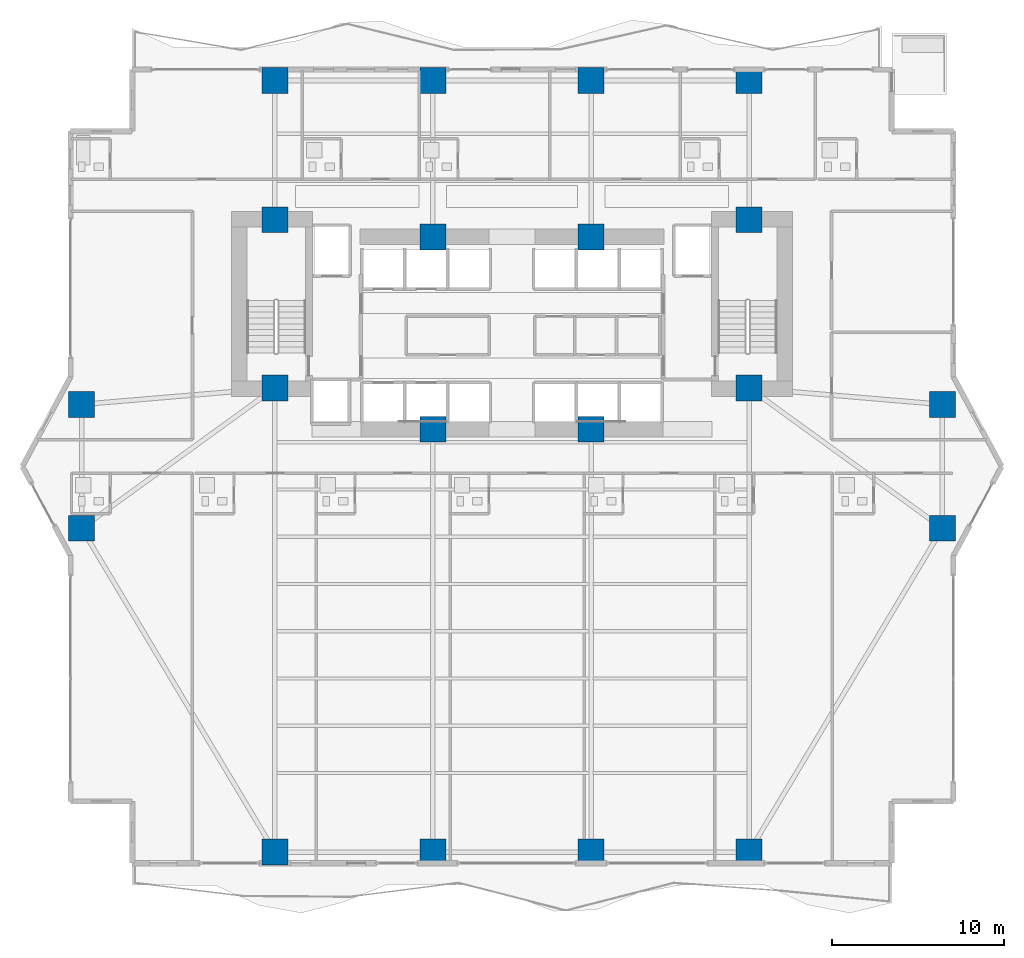
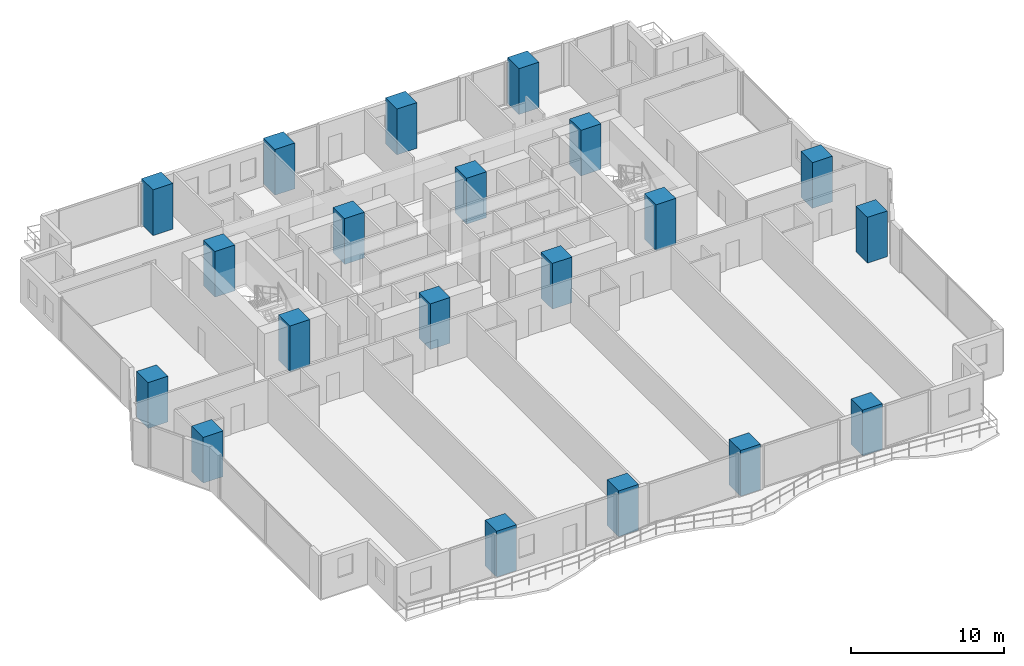
# One storey, part 1 of 28: 20 columns.
"""IFC4 building model written with IfcOpenShell, lengths in metres."""

import ifcopenshell
import ifcopenshell.guid

model = None  # the IFC model being written
_history = None  # IfcOwnerHistory: only IFC2X3 demands one
_inside = {}  # id of a spatial element -> (the spatial element, [elements in it])
_under = {}  # id of a project, library or spatial element -> (it, [spatial elements below it])
_declared = {}  # id of a project -> (the project, [libraries it declares])
_typed = {}  # id of a type object -> (the type object, [elements of that type])
_made_of = {}  # id of a material, layer set ... -> (it, [elements and type objects made of it])


def new_model(schema):
    """Start an empty IFC model of exactly this schema.

    Asked for "IFC4X3", IfcOpenShell would pick the latest addendum, in which some entities
    have other attributes; the version numbers below select the first issue.
    IFC2X3 requires an IfcOwnerHistory on every rooted entity: one is made here for all.
    """
    global model, _history
    if schema == "IFC4X3":
        model = ifcopenshell.file(schema_version=(4, 3, 0, 0))
    else:
        model = ifcopenshell.file(schema=schema)
    _inside.clear()
    _under.clear()
    _declared.clear()
    _typed.clear()
    _made_of.clear()
    _history = None
    if model.schema == "IFC2X3":
        org = make("IfcOrganization", Name="unknown")
        user = make(
            "IfcPersonAndOrganization",
            ThePerson=make("IfcPerson", FamilyName="unknown"),
            TheOrganization=org,
        )
        app = make(
            "IfcApplication",
            ApplicationDeveloper=org,
            Version="unknown",
            ApplicationFullName="unknown",
            ApplicationIdentifier="unknown",
        )
        _history = make(
            "IfcOwnerHistory",
            OwningUser=user,
            OwningApplication=app,
            ChangeAction="ADDED",
            CreationDate=0,
        )
    return model


def make(cls, **values):
    """One entity of the class cls with the attributes given. An attribute that is None is left unset."""
    return model.create_entity(
        cls, **{name: value for name, value in values.items() if value is not None}
    )


def rooted(cls, **values):
    """An entity with a GlobalId (a new one), such as an element, a storey or a relation."""
    return make(cls, GlobalId=ifcopenshell.guid.new(), OwnerHistory=_history, **values)


def si_unit(unit_type, name, prefix=None):
    """IfcSIUnit, for example si_unit("LENGTHUNIT", "METRE", prefix="MILLI")."""
    return make("IfcSIUnit", UnitType=unit_type, Prefix=prefix, Name=name)


def assignment(units):
    """IfcUnitAssignment: the units of a project."""
    return None if units is None else make("IfcUnitAssignment", Units=units)


def point(xyz):
    """IfcCartesianPoint."""
    return None if xyz is None else make("IfcCartesianPoint", Coordinates=xyz)


def direction(xyz):
    """IfcDirection."""
    return None if xyz is None else make("IfcDirection", DirectionRatios=xyz)


def frame(location, z_axis=None, x_axis=None):
    """IfcAxis2Placement3D, a coordinate frame: its origin and axes. An axis left out is left unset."""
    return make(
        "IfcAxis2Placement3D",
        Location=point(location),
        Axis=direction(z_axis),
        RefDirection=direction(x_axis),
    )


def frame_2d(location, x_axis=None):
    """IfcAxis2Placement2D, a coordinate frame in the plane: its origin and x axis."""
    return make(
        "IfcAxis2Placement2D", Location=point(location), RefDirection=direction(x_axis)
    )


def origin():
    """The frame at (0, 0, 0) with its axes left unset."""
    return frame((0.0, 0.0, 0.0))


def origin_2d():
    """The frame at (0, 0) in the plane with its x axis left unset."""
    return frame_2d((0.0, 0.0))


def place(relative_to, where):
    """IfcLocalPlacement: puts the frame where relative to a parent placement (None: the world)."""
    return make(
        "IfcLocalPlacement", PlacementRelTo=relative_to, RelativePlacement=where
    )


def context(
    kind, dimensions, precision=None, world=None, true_north=None, identifier=None
):
    """IfcGeometricRepresentationContext, for example the 3D "Model" context."""
    return make(
        "IfcGeometricRepresentationContext",
        ContextIdentifier=identifier,
        ContextType=kind,
        CoordinateSpaceDimension=dimensions,
        Precision=precision,
        WorldCoordinateSystem=world,
        TrueNorth=true_north,
    )


def subcontext(parent, identifier, kind, view, scale=None):
    """IfcGeometricRepresentationSubContext, for example "Body" below "Model"."""
    return make(
        "IfcGeometricRepresentationSubContext",
        ContextIdentifier=identifier,
        ContextType=kind,
        ParentContext=parent,
        TargetScale=scale,
        TargetView=view,
    )


def project(units=None, contexts=None):
    """IfcProject with its units and contexts."""
    return rooted(
        "IfcProject",
        Name="project",
        RepresentationContexts=contexts,
        UnitsInContext=assignment(units),
    )


def spatial(cls, under=None, at=None, **own):
    """A site, building, storey or space (cls), placed at a placement, below another one or the project."""
    s = rooted(cls, ObjectPlacement=at, **own)
    if under is not None:
        _under.setdefault(under.id(), (under, []))[1].append(s)
    return s


def profile(cls, at=None, kind="AREA", **sizes):
    """A parametric profile (cls). Its sizes go by their IFC names, for example OverallWidth=200.0."""
    return make(cls, ProfileType=kind, Position=at, **sizes)


def rectangle(**sizes):
    """IfcRectangleProfileDef."""
    return profile("IfcRectangleProfileDef", **sizes)


def extrude(swept, where, along, depth):
    """IfcExtrudedAreaSolid: the profile swept, set in the frame where, extruded along a direction by depth."""
    return make(
        "IfcExtrudedAreaSolid",
        SweptArea=swept,
        Position=where,
        ExtrudedDirection=direction(along),
        Depth=depth,
    )


def shape(context_of_items, identifier, shape_type, items):
    """IfcShapeRepresentation: the items that make up one representation, for example the "Body"."""
    return make(
        "IfcShapeRepresentation",
        ContextOfItems=context_of_items,
        RepresentationIdentifier=identifier,
        RepresentationType=shape_type,
        Items=items,
    )


def material(Name=None, Category=None):
    """IfcMaterial."""
    return make("IfcMaterial", Name=Name, Category=Category)


def material_profile(
    of_material, cross_section, Name=None, Category=None, Priority=None
):
    """IfcMaterialProfile: a cross section and its material."""
    return make(
        "IfcMaterialProfile",
        Name=Name,
        Material=of_material,
        Profile=cross_section,
        Priority=Priority,
        Category=Category,
    )


def profile_set(profiles, Name=None, composite=None):
    """IfcMaterialProfileSet."""
    return make(
        "IfcMaterialProfileSet",
        Name=Name,
        MaterialProfiles=profiles,
        CompositeProfile=composite,
    )


def made_of(thing, what):
    """Note that an element or type object is made of a material, layer set ...; save() writes the relation."""
    if what is not None:
        _made_of.setdefault(what.id(), (what, []))[1].append(thing)
    return thing


def type_object(cls, material=None, **own):
    """A type object (cls), such as IfcWallType, which elements share."""
    return made_of(rooted(cls, **own), material)


def element(
    cls,
    number,
    at=None,
    inside=None,
    cuts=None,
    type_object=None,
    material=None,
    context=None,
    identifier="Body",
    shape_type=None,
    held_by="IfcProductDefinitionShape",
    body=None,
    shapes=None,
    **own,
):
    """One element of the class cls, such as IfcWall. Its Tag is "e" and its number.

    at: its placement. inside: the storey or other place that contains it. cuts: it is an
    opening in that element (IfcRelVoidsElement). A single representation is given by context,
    identifier, shape_type and body (its items); several are given by shapes. held_by: the class
    of the entity that holds the representations. save() writes the other relations.
    """
    e = rooted(cls, Tag="e%d" % number, ObjectPlacement=at, **own)
    if body is not None:
        shapes = [shape(context, identifier, shape_type, body)]
    if shapes is not None:
        e.Representation = make(held_by, Representations=shapes)
    if inside is not None:
        _inside.setdefault(inside.id(), (inside, []))[1].append(e)
    if cuts is not None:
        rooted(
            "IfcRelVoidsElement", RelatingBuildingElement=cuts, RelatedOpeningElement=e
        )
    if type_object is not None:
        _typed.setdefault(type_object.id(), (type_object, []))[1].append(e)
    return made_of(e, material)


def aggregate(whole, parts):
    """IfcRelAggregates: a whole, such as a stair, and the parts it consists of."""
    return rooted("IfcRelAggregates", RelatingObject=whole, RelatedObjects=parts)


def save(model, path):
    """Write the relations noted so far, then the file.

    IfcRelAggregates (storeys below a building ...), IfcRelContainedInSpatialStructure (elements
    in a storey), IfcRelDefinesByType, IfcRelAssociatesMaterial and IfcRelDeclares: one each for
    every whole, place, type object, material and project.
    """
    for whole, parts in _under.values():
        aggregate(whole, parts)
    for where, things in _inside.values():
        rooted(
            "IfcRelContainedInSpatialStructure",
            RelatedElements=things,
            RelatingStructure=where,
        )
    for kind, things in _typed.values():
        rooted("IfcRelDefinesByType", RelatedObjects=things, RelatingType=kind)
    for what, things in _made_of.values():
        rooted("IfcRelAssociatesMaterial", RelatedObjects=things, RelatingMaterial=what)
    for by, libraries in _declared.values():
        rooted("IfcRelDeclares", RelatingContext=by, RelatedDefinitions=libraries)
    model.write(path)


model = new_model("IFC4")

# Units and contexts
model_context = context("Model", 3, precision=1e-05, world=origin(), true_north=direction((0.0, 1.0)))
body_context = subcontext(model_context, "Body", "Model", "MODEL_VIEW")
ifc_project = project(units=[si_unit("LENGTHUNIT", "METRE"), si_unit("AREAUNIT", "SQUARE_METRE"), si_unit("VOLUMEUNIT", "CUBIC_METRE"), si_unit("PLANEANGLEUNIT", "RADIAN"), si_unit("MASSUNIT", "GRAM", prefix="KILO")], contexts=[model_context])

# Site, building, storey
site_placement = place(None, origin())
site = spatial("IfcSite", under=ifc_project, at=site_placement, CompositionType="ELEMENT")
building_placement = place(site_placement, origin())
building = spatial("IfcBuilding", under=site, at=building_placement, Name="Zuhayl Quay Hotel", CompositionType="ELEMENT")
storey_placement = place(building_placement, frame((0.0, 0.0, 53.14990234375)))
storey = spatial("IfcBuildingStorey", under=building, at=storey_placement, Name="L12", CompositionType="ELEMENT", Elevation=53.14990234375)

# Columns
ifc_material = material(Name="Concrete C70/85", Category="concrete")
ifc_material_profile_1 = material_profile(ifc_material, rectangle(XDim=1.5, YDim=1.5, at=origin_2d()), Name="RC1500X1500")
ifc_profile_set_1 = profile_set([ifc_material_profile_1], Name="Concrete C70/85")
column_type_1 = type_object("IfcColumnType", Name="CL_CC1_1500", PredefinedType="COLUMN", material=ifc_profile_set_1)
for number, where, z_axis, x_axis, name in (
    (1, (-13.800048828125, 14.35009765625, 0.0), (0.0, 0.0, 1.0), (1.0, 0.0, 0.0), "L12 Core Column CC_NW"),
    (2, (-4.60009765625, 13.35009765625, 0.0), (0.0, 0.0, 1.0), (1.0, 0.0, 0.0), "L12 Core Column CC_CNW"),
    (3, (4.60009765625, 13.35009765625, 0.0), (0.0, 0.0, 1.0), (1.0, 0.0, 0.0), "L12 Core Column CC_CNE"),
    (4, (13.800048828125, 14.35009765625, 0.0), (0.0, 0.0, 1.0), (1.0, 0.0, 0.0), "L12 Core Column CC_NE"),
    (5, (-13.800048828125, 4.550048828125, 0.0), (0.0, 0.0, 1.0), (1.0, 0.0, 0.0), "L12 Core Column CC_SW"),
    (6, (-4.60009765625, 2.14990234375, 0.0), (0.0, 0.0, 1.0), (1.0, 0.0, 0.0), "L12 Core Column CC_CSW"),
    (7, (4.60009765625, 2.14990234375, 0.0), (0.0, 0.0, 1.0), (1.0, 0.0, 0.0), "L12 Core Column CC_CSE"),
    (8, (13.800048828125, 4.550048828125, 0.0), (0.0, 0.0, 1.0), (1.0, 0.0, 0.0), "L12 Core Column CC_SE"),
):
    element("IfcColumn", number, at=place(storey_placement, frame(where, z_axis=z_axis, x_axis=x_axis)), inside=storey, type_object=column_type_1, Name=name, PredefinedType="COLUMN", context=body_context, shape_type="SweptSolid", body=[
        extrude(rectangle(XDim=1.5, YDim=1.5, at=origin_2d()), origin(), (0.0, 0.0, 1.0), 3.650146484375),
    ])
ifc_material_profile_2 = material_profile(ifc_material, rectangle(XDim=1.5, YDim=1.5, at=origin_2d()), Name="RC1500X1500")
ifc_profile_set_2 = profile_set([ifc_material_profile_2], Name="Concrete C70/85")
column_type_2 = type_object("IfcColumnType", Name="CL_MC1_1500", PredefinedType="COLUMN", material=ifc_profile_set_2)
for number, where, z_axis, x_axis, name in (
    (9, (-13.800048828125, -22.449951171875, 0.0), (0.0, 0.0, 1.0), (1.0, 0.0, 0.0), "L12 Mega-Column MC_S1"),
    (10, (-4.60009765625, -22.449951171875, 0.0), (0.0, 0.0, 1.0), (1.0, 0.0, 0.0), "L12 Mega-Column MC_S2"),
    (11, (4.60009765625, -22.449951171875, 0.0), (0.0, 0.0, 1.0), (1.0, 0.0, 0.0), "L12 Mega-Column MC_S3"),
    (12, (13.800048828125, -22.449951171875, 0.0), (0.0, 0.0, 1.0), (1.0, 0.0, 0.0), "L12 Mega-Column MC_S4"),
    (13, (-13.800048828125, 22.449951171875, 0.0), (0.0, 0.0, 1.0), (1.0, 0.0, 0.0), "L12 Mega-Column MC_N1"),
    (14, (-4.60009765625, 22.449951171875, 0.0), (0.0, 0.0, 1.0), (1.0, 0.0, 0.0), "L12 Mega-Column MC_N2"),
    (15, (4.60009765625, 22.449951171875, 0.0), (0.0, 0.0, 1.0), (1.0, 0.0, 0.0), "L12 Mega-Column MC_N3"),
    (16, (13.800048828125, 22.449951171875, 0.0), (0.0, 0.0, 1.0), (1.0, 0.0, 0.0), "L12 Mega-Column MC_N4"),
    (17, (-25.050048828125, -3.60009765625, 0.0), (0.0, 0.0, 1.0), (1.0, 0.0, 0.0), "L12 Mega-Column MC_W1"),
    (18, (-25.050048828125, 3.60009765625, 0.0), (0.0, 0.0, 1.0), (1.0, 0.0, 0.0), "L12 Mega-Column MC_W2"),
    (19, (25.050048828125, -3.60009765625, 0.0), (0.0, 0.0, 1.0), (1.0, 0.0, 0.0), "L12 Mega-Column MC_E1"),
    (20, (25.050048828125, 3.60009765625, 0.0), (0.0, 0.0, 1.0), (1.0, 0.0, 0.0), "L12 Mega-Column MC_E2"),
):
    element("IfcColumn", number, at=place(storey_placement, frame(where, z_axis=z_axis, x_axis=x_axis)), inside=storey, type_object=column_type_2, Name=name, PredefinedType="COLUMN", context=body_context, shape_type="SweptSolid", body=[
        extrude(rectangle(XDim=1.5, YDim=1.5, at=origin_2d()), origin(), (0.0, 0.0, 1.0), 3.650146484375),
    ])

save(model, "model.ifc")
